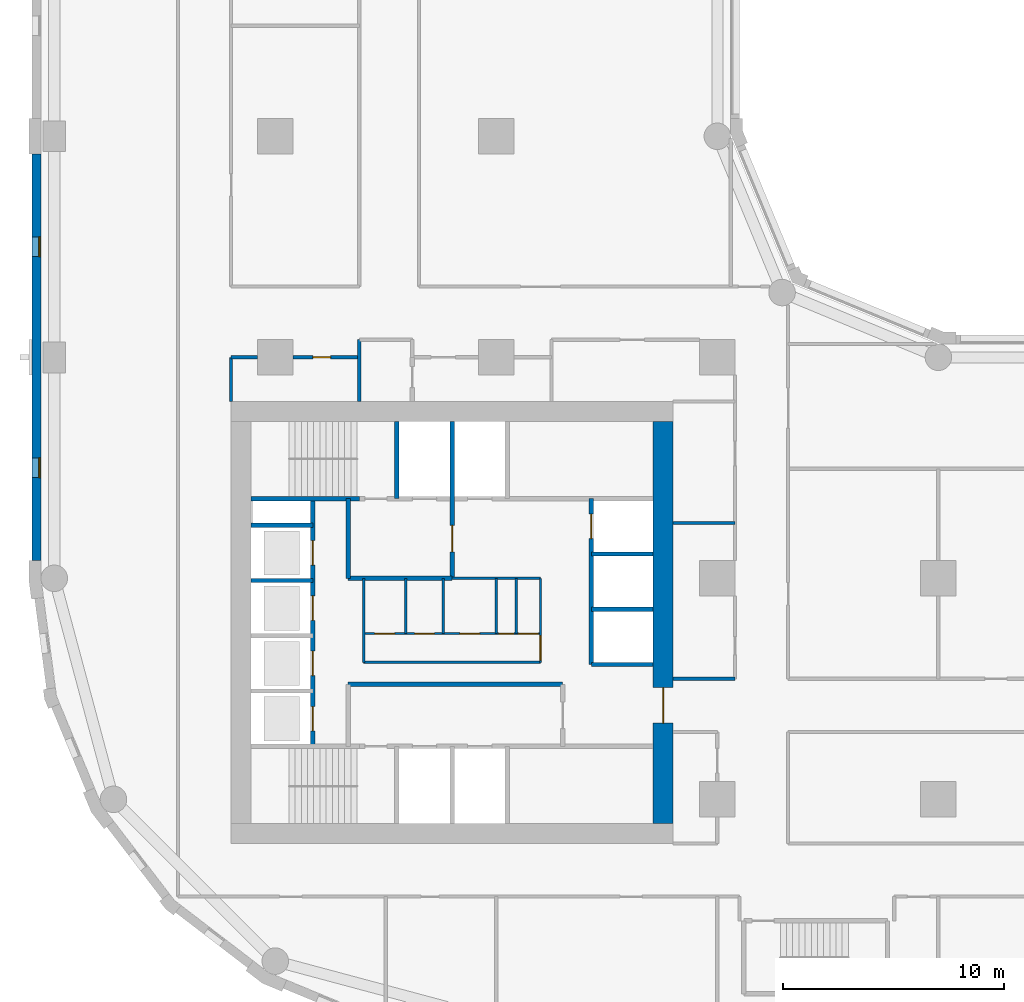
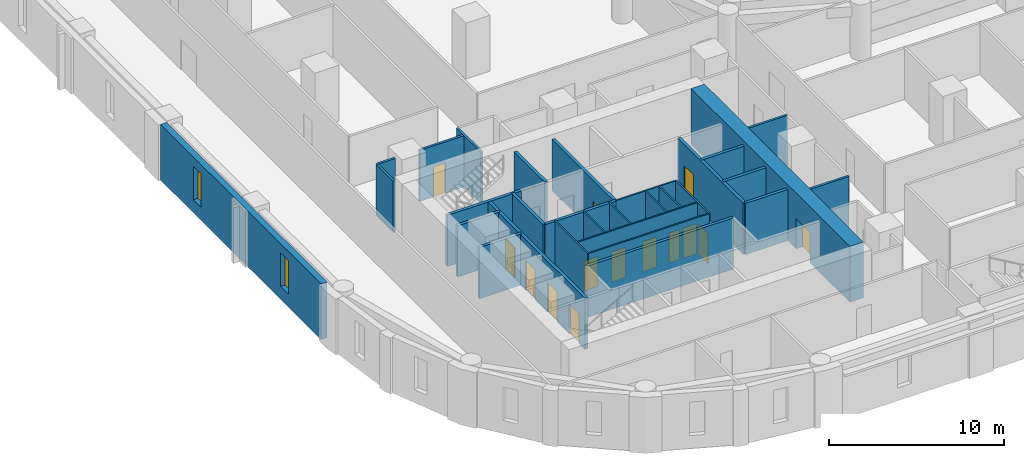
# One storey, part 3 of 11: 30 walls, 14 doors, 2 windows, 16 openings.
"""IFC4 building model written with IfcOpenShell, lengths in metres."""

from ifc_helpers import new_model, si_unit, direction, frame, frame_2d, origin, place, context, subcontext, project, spatial, rectangle, extrude, material, layer, layer_set, type_object, element, fill, save


model = new_model("IFC4")

# Units and contexts
model_context = context("Model", 3, precision=1e-05, world=origin(), true_north=direction((0.0, 1.0)))
body_context = subcontext(model_context, "Body", "Model", "MODEL_VIEW")
ifc_project = project(units=[si_unit("LENGTHUNIT", "METRE"), si_unit("AREAUNIT", "SQUARE_METRE"), si_unit("VOLUMEUNIT", "CUBIC_METRE"), si_unit("PLANEANGLEUNIT", "RADIAN"), si_unit("MASSUNIT", "GRAM", prefix="KILO")], contexts=[model_context])

# Site, building, storey
site_placement = place(None, origin())
site = spatial("IfcSite", under=ifc_project, at=site_placement, CompositionType="ELEMENT")
building_placement = place(site_placement, origin())
building = spatial("IfcBuilding", under=site, at=building_placement, Name="Qaws Garden Tower", CompositionType="ELEMENT")
storey_placement = place(building_placement, frame((0.0, 0.0, 82.199951171875)))
storey = spatial("IfcBuildingStorey", under=building, at=storey_placement, Name="L20", CompositionType="ELEMENT", Elevation=82.199951171875)

# Wall, openings, windows
ifc_material_1 = material(Name="Buff clay facing brick masonry", Category="masonry")
ifc_layer_1 = layer(ifc_material_1, 0.39990234375)
ifc_layer_set_1 = layer_set([ifc_layer_1], Name="Buff clay facing brick masonry")
wall_type_1 = type_object("IfcWallType", Name="Buff brick infill wall 400", PredefinedType="SOLIDWALL", material=ifc_layer_set_1)
wall_1_placement = place(storey_placement, frame((-0.800048828125, 39.199951171875, 0.0), z_axis=(0.0, 0.0, 1.0), x_axis=(0.0, -1.0, 0.0)))
wall_1 = element("IfcWall", 1, at=wall_1_placement, inside=storey, type_object=wall_type_1, Name="E-L20-infill-25", PredefinedType="SOLIDWALL", context=body_context, shape_type="SweptSolid", body=[
    extrude(rectangle(XDim=18.39990234375, YDim=0.39990234375, at=frame_2d((9.199951171875, 0.0))), origin(), (0.0, 0.0, 1.0), 3.900146484375),
])
opening_1_placement = place(wall_1_placement, frame((3.75, 0.0, 0.89990234375)))
opening_1 = element("IfcOpeningElement", 2, at=opening_1_placement, cuts=wall_1, Name="Opening W09", PredefinedType="OPENING", context=body_context, shape_type="SweptSolid", body=[
    extrude(rectangle(XDim=0.89990234375, YDim=2.35009765625, at=frame_2d((0.449951171875, 1.175048828125))), frame((0.0, 0.2099609375, 0.0), z_axis=(0.0, -1.0, 0.0), x_axis=(1.0, 0.0, 0.0)), (0.0, 0.0, 1.0), 0.419921875),
])
opening_2_placement = place(wall_1_placement, frame((13.75, 0.0, 0.89990234375)))
opening_2 = element("IfcOpeningElement", 3, at=opening_2_placement, cuts=wall_1, Name="Opening W09", PredefinedType="OPENING", context=body_context, shape_type="SweptSolid", body=[
    extrude(rectangle(XDim=0.89990234375, YDim=2.35009765625, at=frame_2d((0.449951171875, 1.175048828125))), frame((0.0, 0.2099609375, 0.0), z_axis=(0.0, -1.0, 0.0), x_axis=(1.0, 0.0, 0.0)), (0.0, 0.0, 1.0), 0.419921875),
])
ifc_material_2 = material(Name="Aluminium framed window, clear glazing", Category="aluminium")
window_type = type_object("IfcWindowType", Name="Slit window 900 x 2350", PartitioningType="SINGLE_PANEL", PredefinedType="WINDOW", material=ifc_material_2)
window_1_placement = place(opening_1_placement, origin())
window_1 = element("IfcWindow", 4, at=window_1_placement, inside=storey, type_object=window_type, Name="E-L20-window-25-0", OverallHeight=2.35009765625, OverallWidth=0.89990234375, PartitioningType="SINGLE_PANEL", PredefinedType="WINDOW", context=body_context, shape_type="SweptSolid", body=[
    extrude(rectangle(XDim=0.89990234375, YDim=2.35009765625, at=frame_2d((0.449951171875, 1.175048828125))), frame((0.0, 0.159912109375, 0.0), z_axis=(0.0, -1.0, 0.0), x_axis=(1.0, 0.0, 0.0)), (0.0, 0.0, 1.0), 0.06005859375),
])
fill(opening_1, window_1)
window_2_placement = place(opening_2_placement, origin())
window_2 = element("IfcWindow", 5, at=window_2_placement, inside=storey, type_object=window_type, Name="E-L20-window-26-0", OverallHeight=2.35009765625, OverallWidth=0.89990234375, PartitioningType="SINGLE_PANEL", PredefinedType="WINDOW", context=body_context, shape_type="SweptSolid", body=[
    extrude(rectangle(XDim=0.89990234375, YDim=2.35009765625, at=frame_2d((0.449951171875, 1.175048828125))), frame((0.0, 0.159912109375, 0.0), z_axis=(0.0, -1.0, 0.0), x_axis=(1.0, 0.0, 0.0)), (0.0, 0.0, 1.0), 0.06005859375),
])
fill(opening_2, window_2)

# Wall
ifc_material_3 = material(Name="Plasterboard")
ifc_layer_2 = layer(ifc_material_3, 0.10009765625)
ifc_layer_set_2 = layer_set([ifc_layer_2], Name="Plasterboard")
wall_type_2 = type_object("IfcWallType", Name="Core partition 100", PredefinedType="PARTITIONING", material=ifc_layer_set_2)
wall_2_placement = place(storey_placement, frame((14.0, 16.199951171875, 0.0), z_axis=(0.0, 0.0, 1.0), x_axis=(1.0, 0.0, 0.0)))
element("IfcWall", 6, at=wall_2_placement, inside=storey, type_object=wall_type_2, Name="Core partition", PredefinedType="PARTITIONING", context=body_context, shape_type="SweptSolid", body=[
    extrude(rectangle(XDim=8.0, YDim=0.10009765625, at=frame_2d((4.0, 0.0))), origin(), (0.0, 0.0, 1.0), 3.580078125),
])

# Wall, openings, doors
wall_3_placement = place(storey_placement, frame((14.0, 17.5, 0.0), z_axis=(0.0, 0.0, 1.0), x_axis=(1.0, 0.0, 0.0)))
wall_3 = element("IfcWall", 7, at=wall_3_placement, inside=storey, type_object=wall_type_2, Name="Core partition", PredefinedType="PARTITIONING", context=body_context, shape_type="SweptSolid", body=[
    extrude(rectangle(XDim=8.0, YDim=0.10009765625, at=frame_2d((4.0, 0.0))), origin(), (0.0, 0.0, 1.0), 3.580078125),
])
opening_3_placement = place(wall_3_placement, frame((0.5, 0.0, 0.0)))
opening_3 = element("IfcOpeningElement", 8, at=opening_3_placement, cuts=wall_3, Name="Opening WD18", PredefinedType="OPENING", context=body_context, shape_type="SweptSolid", body=[
    extrude(rectangle(XDim=0.89990234375, YDim=2.10009765625, at=frame_2d((0.449951171875, 1.050048828125))), frame((0.0, 0.06005859375, 0.0), z_axis=(0.0, -1.0, 0.0), x_axis=(1.0, 0.0, 0.0)), (0.0, 0.0, 1.0), 0.1201171875),
])
opening_4_placement = place(wall_3_placement, frame((2.300048828125, 0.0, 0.0)))
opening_4 = element("IfcOpeningElement", 9, at=opening_4_placement, cuts=wall_3, Name="Opening WD19", PredefinedType="OPENING", context=body_context, shape_type="SweptSolid", body=[
    extrude(rectangle(XDim=0.89990234375, YDim=2.10009765625, at=frame_2d((0.449951171875, 1.050048828125))), frame((0.0, 0.06005859375, 0.0), z_axis=(0.0, -1.0, 0.0), x_axis=(1.0, 0.0, 0.0)), (0.0, 0.0, 1.0), 0.1201171875),
])
opening_5_placement = place(wall_3_placement, frame((4.35009765625, 0.0, 0.0)))
opening_5 = element("IfcOpeningElement", 10, at=opening_5_placement, cuts=wall_3, Name="Opening WD20", PredefinedType="OPENING", context=body_context, shape_type="SweptSolid", body=[
    extrude(rectangle(XDim=0.89990234375, YDim=2.10009765625, at=frame_2d((0.449951171875, 1.050048828125))), frame((0.0, 0.06005859375, 0.0), z_axis=(0.0, -1.0, 0.0), x_axis=(1.0, 0.0, 0.0)), (0.0, 0.0, 1.0), 0.1201171875),
])
opening_6_placement = place(wall_3_placement, frame((6.10009765625, 0.0, 0.0)))
opening_6 = element("IfcOpeningElement", 11, at=opening_6_placement, cuts=wall_3, Name="Opening XD21", PredefinedType="OPENING", context=body_context, shape_type="SweptSolid", body=[
    extrude(rectangle(XDim=0.699951171875, YDim=2.10009765625, at=frame_2d((0.35009765625, 1.050048828125))), frame((0.0, 0.06005859375, 0.0), z_axis=(0.0, -1.0, 0.0), x_axis=(1.0, 0.0, 0.0)), (0.0, 0.0, 1.0), 0.1201171875),
])
opening_7_placement = place(wall_3_placement, frame((7.0, 0.0, 0.0)))
opening_7 = element("IfcOpeningElement", 12, at=opening_7_placement, cuts=wall_3, Name="Opening WD22", PredefinedType="OPENING", context=body_context, shape_type="SweptSolid", body=[
    extrude(rectangle(XDim=0.89990234375, YDim=2.10009765625, at=frame_2d((0.449951171875, 1.050048828125))), frame((0.0, 0.06005859375, 0.0), z_axis=(0.0, -1.0, 0.0), x_axis=(1.0, 0.0, 0.0)), (0.0, 0.0, 1.0), 0.1201171875),
])
ifc_material_4 = material(Name="Timber", Category="wood")
door_type_1 = type_object("IfcDoorType", Name="Store door 700x2100", OperationType="SINGLE_SWING_LEFT", PredefinedType="DOOR", material=ifc_material_4)
door_1_placement = place(opening_6_placement, origin())
door_1 = element("IfcDoor", 13, at=door_1_placement, inside=storey, type_object=door_type_1, Name="Cleaner's store door", OperationType="SINGLE_SWING_RIGHT", OverallHeight=2.10009765625, OverallWidth=0.699951171875, PredefinedType="DOOR", context=body_context, shape_type="SweptSolid", body=[
    extrude(rectangle(XDim=0.699951171875, YDim=2.10009765625, at=frame_2d((0.35009765625, 1.050048828125))), frame((0.0, 0.02490234375, 0.0), z_axis=(0.0, -1.0, 0.0), x_axis=(1.0, 0.0, 0.0)), (0.0, 0.0, 1.0), 0.050048828125),
])
fill(opening_6, door_1)
ifc_material_5 = material(Name="Timber", Category="wood")
door_type_2 = type_object("IfcDoorType", Name="WC door 900x2100", OperationType="SINGLE_SWING_LEFT", PredefinedType="DOOR", material=ifc_material_5)
door_2_placement = place(opening_3_placement, origin())
door_2 = element("IfcDoor", 14, at=door_2_placement, inside=storey, type_object=door_type_2, Name="Men's WC door", OperationType="SINGLE_SWING_RIGHT", OverallHeight=2.10009765625, OverallWidth=0.89990234375, PredefinedType="DOOR", context=body_context, shape_type="SweptSolid", body=[
    extrude(rectangle(XDim=0.89990234375, YDim=2.10009765625, at=frame_2d((0.449951171875, 1.050048828125))), frame((0.0, 0.02490234375, 0.0), z_axis=(0.0, -1.0, 0.0), x_axis=(1.0, 0.0, 0.0)), (0.0, 0.0, 1.0), 0.050048828125),
])
fill(opening_3, door_2)
door_3_placement = place(opening_4_placement, origin())
door_3 = element("IfcDoor", 15, at=door_3_placement, inside=storey, type_object=door_type_2, Name="Accessible WC door", OperationType="SINGLE_SWING_RIGHT", OverallHeight=2.10009765625, OverallWidth=0.89990234375, PredefinedType="DOOR", context=body_context, shape_type="SweptSolid", body=[
    extrude(rectangle(XDim=0.89990234375, YDim=2.10009765625, at=frame_2d((0.449951171875, 1.050048828125))), frame((0.0, 0.02490234375, 0.0), z_axis=(0.0, -1.0, 0.0), x_axis=(1.0, 0.0, 0.0)), (0.0, 0.0, 1.0), 0.050048828125),
])
fill(opening_4, door_3)
door_4_placement = place(opening_5_placement, origin())
door_4 = element("IfcDoor", 16, at=door_4_placement, inside=storey, type_object=door_type_2, Name="Women's WC door", OperationType="SINGLE_SWING_RIGHT", OverallHeight=2.10009765625, OverallWidth=0.89990234375, PredefinedType="DOOR", context=body_context, shape_type="SweptSolid", body=[
    extrude(rectangle(XDim=0.89990234375, YDim=2.10009765625, at=frame_2d((0.449951171875, 1.050048828125))), frame((0.0, 0.02490234375, 0.0), z_axis=(0.0, -1.0, 0.0), x_axis=(1.0, 0.0, 0.0)), (0.0, 0.0, 1.0), 0.050048828125),
])
fill(opening_5, door_4)
door_5_placement = place(opening_7_placement, origin())
door_5 = element("IfcDoor", 17, at=door_5_placement, inside=storey, type_object=door_type_2, Name="Linen store door", OperationType="SINGLE_SWING_RIGHT", OverallHeight=2.10009765625, OverallWidth=0.89990234375, PredefinedType="DOOR", context=body_context, shape_type="SweptSolid", body=[
    extrude(rectangle(XDim=0.89990234375, YDim=2.10009765625, at=frame_2d((0.449951171875, 1.050048828125))), frame((0.0, 0.02490234375, 0.0), z_axis=(0.0, -1.0, 0.0), x_axis=(1.0, 0.0, 0.0)), (0.0, 0.0, 1.0), 0.050048828125),
])
fill(opening_7, door_5)

# Walls
wall_4_placement = place(storey_placement, frame((18.0, 20.0, 0.0), z_axis=(0.0, 0.0, 1.0), x_axis=(1.0, 0.0, 0.0)))
element("IfcWall", 18, at=wall_4_placement, inside=storey, type_object=wall_type_2, Name="Core partition", PredefinedType="PARTITIONING", context=body_context, shape_type="SweptSolid", body=[
    extrude(rectangle(XDim=4.0, YDim=0.10009765625, at=frame_2d((2.0, 0.0))), origin(), (0.0, 0.0, 1.0), 3.580078125),
])
wall_5_placement = place(storey_placement, frame((14.0, 16.199951171875, 0.0), z_axis=(0.0, 0.0, 1.0), x_axis=(0.0, 1.0, 0.0)))
element("IfcWall", 19, at=wall_5_placement, inside=storey, type_object=wall_type_2, Name="Core partition", PredefinedType="PARTITIONING", context=body_context, shape_type="SweptSolid", body=[
    extrude(rectangle(XDim=3.800048828125, YDim=0.10009765625, at=frame_2d((1.89990234375, 0.0))), origin(), (0.0, 0.0, 1.0), 3.580078125),
])
for number, where, z_axis, x_axis, name in (
    (20, (15.89990234375, 17.5, 0.0), (0.0, 0.0, 1.0), (0.0, 1.0, 0.0), "Core partition"),
    (21, (17.60009765625, 17.5, 0.0), (0.0, 0.0, 1.0), (0.0, 1.0, 0.0), "Core partition"),
    (22, (20.0, 17.5, 0.0), (0.0, 0.0, 1.0), (0.0, 1.0, 0.0), "Core partition"),
    (23, (20.89990234375, 17.5, 0.0), (0.0, 0.0, 1.0), (0.0, 1.0, 0.0), "Core partition"),
):
    element("IfcWall", number, at=place(storey_placement, frame(where, z_axis=z_axis, x_axis=x_axis)), inside=storey, type_object=wall_type_2, Name=name, PredefinedType="PARTITIONING", context=body_context, shape_type="SweptSolid", body=[
        extrude(rectangle(XDim=2.5, YDim=0.10009765625, at=frame_2d((1.25, 0.0))), origin(), (0.0, 0.0, 1.0), 3.580078125),
    ])

# Wall, opening, door
wall_6_placement = place(storey_placement, frame((22.0, 16.199951171875, 0.0), z_axis=(0.0, 0.0, 1.0), x_axis=(0.0, 1.0, 0.0)))
wall_6 = element("IfcWall", 24, at=wall_6_placement, inside=storey, type_object=wall_type_2, Name="Core partition", PredefinedType="PARTITIONING", context=body_context, shape_type="SweptSolid", body=[
    extrude(rectangle(XDim=3.800048828125, YDim=0.10009765625, at=frame_2d((1.89990234375, 0.0))), origin(), (0.0, 0.0, 1.0), 3.580078125),
])
opening_8_placement = place(wall_6_placement, frame((0.10009765625, 0.0, 0.0)))
opening_8 = element("IfcOpeningElement", 25, at=opening_8_placement, cuts=wall_6, Name="Opening WL17", PredefinedType="OPENING", context=body_context, shape_type="SweptSolid", body=[
    extrude(rectangle(XDim=1.10009765625, YDim=2.10009765625, at=frame_2d((0.550048828125, 1.050048828125))), frame((0.0, 0.06005859375, 0.0), z_axis=(0.0, -1.0, 0.0), x_axis=(1.0, 0.0, 0.0)), (0.0, 0.0, 1.0), 0.1201171875),
])
ifc_material_6 = material(Name="Timber", Category="wood")
door_type_3 = type_object("IfcDoorType", Name="WC lobby door 1100x2100", OperationType="SINGLE_SWING_LEFT", PredefinedType="DOOR", material=ifc_material_6)
door_6_placement = place(opening_8_placement, origin())
door_6 = element("IfcDoor", 26, at=door_6_placement, inside=storey, type_object=door_type_3, Name="WC lobby door", OperationType="SINGLE_SWING_RIGHT", OverallHeight=2.10009765625, OverallWidth=1.10009765625, PredefinedType="DOOR", context=body_context, shape_type="SweptSolid", body=[
    extrude(rectangle(XDim=1.10009765625, YDim=2.10009765625, at=frame_2d((0.550048828125, 1.050048828125))), frame((0.0, 0.02490234375, 0.0), z_axis=(0.0, -1.0, 0.0), x_axis=(1.0, 0.0, 0.0)), (0.0, 0.0, 1.0), 0.050048828125),
])
fill(opening_8, door_6)

# Walls
ifc_material_7 = material(Name="Concrete C80", Category="concrete")
ifc_layer_3 = layer(ifc_material_7, 0.199951171875)
ifc_layer_set_3 = layer_set([ifc_layer_3], Name="Concrete C80")
wall_type_3 = type_object("IfcWallType", Name="Core shaft wall 200 C80", PredefinedType="SHEAR", material=ifc_layer_set_3)
wall_7_placement = place(storey_placement, frame((13.300048828125, 15.199951171875, 0.0), z_axis=(0.0, 0.0, 1.0), x_axis=(1.0, 0.0, 0.0)))
element("IfcWall", 27, at=wall_7_placement, inside=storey, type_object=wall_type_3, Name="Shaft wall", PredefinedType="SHEAR", context=body_context, shape_type="SweptSolid", body=[
    extrude(rectangle(XDim=9.699951171875, YDim=0.199951171875, at=frame_2d((4.85009765625, 0.0))), origin(), (0.0, 0.0, 1.0), 3.580078125),
])
for number, where, z_axis, x_axis, name in (
    (28, (24.300048828125, 16.10009765625, 0.0), (0.0, 0.0, 1.0), (1.0, 0.0, 0.0), "Shaft wall"),
    (29, (24.300048828125, 18.60009765625, 0.0), (0.0, 0.0, 1.0), (1.0, 0.0, 0.0), "Shaft wall"),
    (30, (8.89990234375, 19.89990234375, 0.0), (0.0, 0.0, 1.0), (1.0, 0.0, 0.0), "Shaft wall"),
):
    element("IfcWall", number, at=place(storey_placement, frame(where, z_axis=z_axis, x_axis=x_axis)), inside=storey, type_object=wall_type_3, Name=name, PredefinedType="SHEAR", context=body_context, shape_type="SweptSolid", body=[
        extrude(rectangle(XDim=2.800048828125, YDim=0.199951171875, at=frame_2d((1.39990234375, 0.0))), origin(), (0.0, 0.0, 1.0), 3.580078125),
    ])
wall_8_placement = place(storey_placement, frame((13.300048828125, 20.0, 0.0), z_axis=(0.0, 0.0, 1.0), x_axis=(1.0, 0.0, 0.0)))
element("IfcWall", 31, at=wall_8_placement, inside=storey, type_object=wall_type_3, Name="Shaft wall", PredefinedType="SHEAR", context=body_context, shape_type="SweptSolid", body=[
    extrude(rectangle(XDim=4.699951171875, YDim=0.199951171875, at=frame_2d((2.35009765625, 0.0))), origin(), (0.0, 0.0, 1.0), 3.580078125),
])
for number, where, z_axis, x_axis, name in (
    (32, (24.300048828125, 21.10009765625, 0.0), (0.0, 0.0, 1.0), (1.0, 0.0, 0.0), "Shaft wall"),
    (33, (8.89990234375, 22.39990234375, 0.0), (0.0, 0.0, 1.0), (1.0, 0.0, 0.0), "Shaft wall"),
):
    element("IfcWall", number, at=place(storey_placement, frame(where, z_axis=z_axis, x_axis=x_axis)), inside=storey, type_object=wall_type_3, Name=name, PredefinedType="SHEAR", context=body_context, shape_type="SweptSolid", body=[
        extrude(rectangle(XDim=2.800048828125, YDim=0.199951171875, at=frame_2d((1.39990234375, 0.0))), origin(), (0.0, 0.0, 1.0), 3.580078125),
    ])
wall_9_placement = place(storey_placement, frame((8.89990234375, 23.60009765625, 0.0), z_axis=(0.0, 0.0, 1.0), x_axis=(1.0, 0.0, 0.0)))
element("IfcWall", 34, at=wall_9_placement, inside=storey, type_object=wall_type_3, Name="Shaft wall", PredefinedType="SHEAR", context=body_context, shape_type="SweptSolid", body=[
    extrude(rectangle(XDim=4.900146484375, YDim=0.199951171875, at=frame_2d((2.4501953125, 0.0))), origin(), (0.0, 0.0, 1.0), 3.580078125),
])

# Wall, openings, doors
wall_10_placement = place(storey_placement, frame((11.699951171875, 12.39990234375, 0.0), z_axis=(0.0, 0.0, 1.0), x_axis=(0.0, 1.0, 0.0)))
wall_10 = element("IfcWall", 35, at=wall_10_placement, inside=storey, type_object=wall_type_3, Name="Shaft wall", PredefinedType="SHEAR", context=body_context, shape_type="SweptSolid", body=[
    extrude(rectangle(XDim=11.2001953125, YDim=0.199951171875, at=frame_2d((5.60009765625, 0.0))), origin(), (0.0, 0.0, 1.0), 3.580078125),
])
opening_9_placement = place(wall_10_placement, frame((0.699951171875, 0.0, 0.0)))
opening_9 = element("IfcOpeningElement", 36, at=opening_9_placement, cuts=wall_10, Name="Opening LD01", PredefinedType="OPENING", context=body_context, shape_type="SweptSolid", body=[
    extrude(rectangle(XDim=1.10009765625, YDim=2.10009765625, at=frame_2d((0.550048828125, 1.050048828125))), frame((0.0, 0.10986328125, 0.0), z_axis=(0.0, -1.0, 0.0), x_axis=(1.0, 0.0, 0.0)), (0.0, 0.0, 1.0), 0.219970703125),
])
opening_10_placement = place(wall_10_placement, frame((3.199951171875, 0.0, 0.0)))
opening_10 = element("IfcOpeningElement", 37, at=opening_10_placement, cuts=wall_10, Name="Opening LD02", PredefinedType="OPENING", context=body_context, shape_type="SweptSolid", body=[
    extrude(rectangle(XDim=1.10009765625, YDim=2.10009765625, at=frame_2d((0.550048828125, 1.050048828125))), frame((0.0, 0.10986328125, 0.0), z_axis=(0.0, -1.0, 0.0), x_axis=(1.0, 0.0, 0.0)), (0.0, 0.0, 1.0), 0.219970703125),
])
opening_11_placement = place(wall_10_placement, frame((5.699951171875, 0.0, 0.0)))
opening_11 = element("IfcOpeningElement", 38, at=opening_11_placement, cuts=wall_10, Name="Opening LD03", PredefinedType="OPENING", context=body_context, shape_type="SweptSolid", body=[
    extrude(rectangle(XDim=1.10009765625, YDim=2.10009765625, at=frame_2d((0.550048828125, 1.050048828125))), frame((0.0, 0.10986328125, 0.0), z_axis=(0.0, -1.0, 0.0), x_axis=(1.0, 0.0, 0.0)), (0.0, 0.0, 1.0), 0.219970703125),
])
opening_12_placement = place(wall_10_placement, frame((8.199951171875, 0.0, 0.0)))
opening_12 = element("IfcOpeningElement", 39, at=opening_12_placement, cuts=wall_10, Name="Opening LD04", PredefinedType="OPENING", context=body_context, shape_type="SweptSolid", body=[
    extrude(rectangle(XDim=1.10009765625, YDim=2.10009765625, at=frame_2d((0.550048828125, 1.050048828125))), frame((0.0, 0.10986328125, 0.0), z_axis=(0.0, -1.0, 0.0), x_axis=(1.0, 0.0, 0.0)), (0.0, 0.0, 1.0), 0.219970703125),
])
ifc_material_8 = material(Name="Steel S235", Category="steel")
door_type_4 = type_object("IfcDoorType", Name="Landing door 1100x2100", OperationType="DOUBLE_DOOR_SLIDING", PredefinedType="DOOR", material=ifc_material_8)
door_7_placement = place(opening_9_placement, origin())
door_7 = element("IfcDoor", 40, at=door_7_placement, inside=storey, type_object=door_type_4, Name="Lift W1 landing door", OperationType="DOUBLE_DOOR_SLIDING", OverallHeight=2.10009765625, OverallWidth=1.10009765625, PredefinedType="DOOR", context=body_context, shape_type="SweptSolid", body=[
    extrude(rectangle(XDim=1.10009765625, YDim=2.10009765625, at=frame_2d((0.550048828125, 1.050048828125))), frame((0.0, 0.02490234375, 0.0), z_axis=(0.0, -1.0, 0.0), x_axis=(1.0, 0.0, 0.0)), (0.0, 0.0, 1.0), 0.050048828125),
])
fill(opening_9, door_7)
door_8_placement = place(opening_10_placement, origin())
door_8 = element("IfcDoor", 41, at=door_8_placement, inside=storey, type_object=door_type_4, Name="Lift W2 landing door", OperationType="DOUBLE_DOOR_SLIDING", OverallHeight=2.10009765625, OverallWidth=1.10009765625, PredefinedType="DOOR", context=body_context, shape_type="SweptSolid", body=[
    extrude(rectangle(XDim=1.10009765625, YDim=2.10009765625, at=frame_2d((0.550048828125, 1.050048828125))), frame((0.0, 0.02490234375, 0.0), z_axis=(0.0, -1.0, 0.0), x_axis=(1.0, 0.0, 0.0)), (0.0, 0.0, 1.0), 0.050048828125),
])
fill(opening_10, door_8)
door_9_placement = place(opening_11_placement, origin())
door_9 = element("IfcDoor", 42, at=door_9_placement, inside=storey, type_object=door_type_4, Name="Lift W3 landing door", OperationType="DOUBLE_DOOR_SLIDING", OverallHeight=2.10009765625, OverallWidth=1.10009765625, PredefinedType="DOOR", context=body_context, shape_type="SweptSolid", body=[
    extrude(rectangle(XDim=1.10009765625, YDim=2.10009765625, at=frame_2d((0.550048828125, 1.050048828125))), frame((0.0, 0.02490234375, 0.0), z_axis=(0.0, -1.0, 0.0), x_axis=(1.0, 0.0, 0.0)), (0.0, 0.0, 1.0), 0.050048828125),
])
fill(opening_11, door_9)
door_10_placement = place(opening_12_placement, origin())
door_10 = element("IfcDoor", 43, at=door_10_placement, inside=storey, type_object=door_type_4, Name="Lift W4 landing door", OperationType="DOUBLE_DOOR_SLIDING", OverallHeight=2.10009765625, OverallWidth=1.10009765625, PredefinedType="DOOR", context=body_context, shape_type="SweptSolid", body=[
    extrude(rectangle(XDim=1.10009765625, YDim=2.10009765625, at=frame_2d((0.550048828125, 1.050048828125))), frame((0.0, 0.02490234375, 0.0), z_axis=(0.0, -1.0, 0.0), x_axis=(1.0, 0.0, 0.0)), (0.0, 0.0, 1.0), 0.050048828125),
])
fill(opening_12, door_10)

# Walls
wall_11_placement = place(storey_placement, frame((13.300048828125, 20.0, 0.0), z_axis=(0.0, 0.0, 1.0), x_axis=(0.0, 1.0, 0.0)))
element("IfcWall", 44, at=wall_11_placement, inside=storey, type_object=wall_type_3, Name="Shaft wall", PredefinedType="SHEAR", context=body_context, shape_type="SweptSolid", body=[
    extrude(rectangle(XDim=3.60009765625, YDim=0.199951171875, at=frame_2d((1.800048828125, 0.0))), origin(), (0.0, 0.0, 1.0), 3.580078125),
])
wall_12_placement = place(storey_placement, frame((15.5, 23.60009765625, 0.0), z_axis=(0.0, 0.0, 1.0), x_axis=(0.0, 1.0, 0.0)))
element("IfcWall", 45, at=wall_12_placement, inside=storey, type_object=wall_type_3, Name="Shaft wall", PredefinedType="SHEAR", context=body_context, shape_type="SweptSolid", body=[
    extrude(rectangle(XDim=3.5, YDim=0.199951171875, at=frame_2d((1.75, 0.0))), origin(), (0.0, 0.0, 1.0), 3.580078125),
])

# Wall, opening, door
wall_13_placement = place(storey_placement, frame((18.0, 20.0, 0.0), z_axis=(0.0, 0.0, 1.0), x_axis=(0.0, 1.0, 0.0)))
wall_13 = element("IfcWall", 46, at=wall_13_placement, inside=storey, type_object=wall_type_3, Name="Shaft wall", PredefinedType="SHEAR", context=body_context, shape_type="SweptSolid", body=[
    extrude(rectangle(XDim=7.10009765625, YDim=0.199951171875, at=frame_2d((3.550048828125, 0.0))), origin(), (0.0, 0.0, 1.0), 3.580078125),
])
opening_13_placement = place(wall_13_placement, frame((1.199951171875, 0.0, 0.0)))
opening_13 = element("IfcOpeningElement", 47, at=opening_13_placement, cuts=wall_13, Name="Opening FD16", PredefinedType="OPENING", context=body_context, shape_type="SweptSolid", body=[
    extrude(rectangle(XDim=1.199951171875, YDim=2.10009765625, at=frame_2d((0.60009765625, 1.050048828125))), frame((0.0, 0.10986328125, 0.0), z_axis=(0.0, -1.0, 0.0), x_axis=(1.0, 0.0, 0.0)), (0.0, 0.0, 1.0), 0.219970703125),
])
ifc_material_9 = material(Name="Steel S235", Category="steel")
door_type_5 = type_object("IfcDoorType", Name="Lobby door 1200x2100", OperationType="DOUBLE_DOOR_SINGLE_SWING", PredefinedType="DOOR", material=ifc_material_9)
door_11_placement = place(opening_13_placement, origin())
door_11 = element("IfcDoor", 48, at=door_11_placement, inside=storey, type_object=door_type_5, Name="Fire-fighting lobby door", OperationType="DOUBLE_DOOR_SINGLE_SWING", OverallHeight=2.10009765625, OverallWidth=1.199951171875, PredefinedType="DOOR", context=body_context, shape_type="SweptSolid", body=[
    extrude(rectangle(XDim=1.199951171875, YDim=2.10009765625, at=frame_2d((0.60009765625, 1.050048828125))), frame((0.0, 0.02490234375, 0.0), z_axis=(0.0, -1.0, 0.0), x_axis=(1.0, 0.0, 0.0)), (0.0, 0.0, 1.0), 0.050048828125),
])
fill(opening_13, door_11)

wall_14_placement = place(storey_placement, frame((24.300048828125, 16.10009765625, 0.0), z_axis=(0.0, 0.0, 1.0), x_axis=(0.0, 1.0, 0.0)))
wall_14 = element("IfcWall", 49, at=wall_14_placement, inside=storey, type_object=wall_type_3, Name="Shaft wall", PredefinedType="SHEAR", context=body_context, shape_type="SweptSolid", body=[
    extrude(rectangle(XDim=7.5, YDim=0.199951171875, at=frame_2d((3.75, 0.0))), origin(), (0.0, 0.0, 1.0), 3.580078125),
])
opening_14_placement = place(wall_14_placement, frame((5.699951171875, 0.0, 0.0)))
opening_14 = element("IfcOpeningElement", 50, at=opening_14_placement, cuts=wall_14, Name="Opening LD05", PredefinedType="OPENING", context=body_context, shape_type="SweptSolid", body=[
    extrude(rectangle(XDim=1.10009765625, YDim=2.10009765625, at=frame_2d((0.550048828125, 1.050048828125))), frame((0.0, 0.10986328125, 0.0), z_axis=(0.0, -1.0, 0.0), x_axis=(1.0, 0.0, 0.0)), (0.0, 0.0, 1.0), 0.219970703125),
])
door_12_placement = place(opening_14_placement, origin())
door_12 = element("IfcDoor", 51, at=door_12_placement, inside=storey, type_object=door_type_4, Name="Lift E3 landing door", OperationType="DOUBLE_DOOR_SLIDING", OverallHeight=2.10009765625, OverallWidth=1.10009765625, PredefinedType="DOOR", context=body_context, shape_type="SweptSolid", body=[
    extrude(rectangle(XDim=1.10009765625, YDim=2.10009765625, at=frame_2d((0.550048828125, 1.050048828125))), frame((0.0, 0.02490234375, 0.0), z_axis=(0.0, -1.0, 0.0), x_axis=(1.0, 0.0, 0.0)), (0.0, 0.0, 1.0), 0.050048828125),
])
fill(opening_14, door_12)

ifc_material_10 = material(Name="Concrete C80", Category="concrete")
ifc_layer_4 = layer(ifc_material_10, 0.89990234375)
ifc_layer_set_4 = layer_set([ifc_layer_4], Name="Concrete C80")
wall_type_4 = type_object("IfcWallType", Name="Core wall 900 C80", PredefinedType="SHEAR", material=ifc_layer_set_4)
wall_15_placement = place(storey_placement, frame((27.550048828125, 8.89990234375, 0.0), z_axis=(0.0, 0.0, 1.0), x_axis=(0.0, 1.0, 0.0)))
wall_15 = element("IfcWall", 52, at=wall_15_placement, inside=storey, type_object=wall_type_4, Name="Core wall L20 east", PredefinedType="SHEAR", context=body_context, shape_type="SweptSolid", body=[
    extrude(rectangle(XDim=18.2001953125, YDim=0.89990234375, at=frame_2d((9.10009765625, 0.0))), origin(), (0.0, 0.0, 1.0), 3.900146484375),
])
opening_15_placement = place(wall_15_placement, frame((4.550048828125, 0.0, 0.0)))
opening_15 = element("IfcOpeningElement", 53, at=opening_15_placement, cuts=wall_15, Name="Opening ED23", PredefinedType="OPENING", context=body_context, shape_type="SweptSolid", body=[
    extrude(rectangle(XDim=1.60009765625, YDim=2.10009765625, at=frame_2d((0.800048828125, 1.050048828125))), frame((0.0, 0.4599609375, 0.0), z_axis=(0.0, -1.0, 0.0), x_axis=(1.0, 0.0, 0.0)), (0.0, 0.0, 1.0), 0.919921875),
])
ifc_material_11 = material(Name="Steel S235", Category="steel")
door_type_6 = type_object("IfcDoorType", Name="Core entrance door 1600x2100", OperationType="DOUBLE_DOOR_SINGLE_SWING", PredefinedType="DOOR", material=ifc_material_11)
door_13_placement = place(opening_15_placement, origin())
door_13 = element("IfcDoor", 54, at=door_13_placement, inside=storey, type_object=door_type_6, Name="Core entrance door", OperationType="DOUBLE_DOOR_SINGLE_SWING", OverallHeight=2.10009765625, OverallWidth=1.60009765625, PredefinedType="DOOR", context=body_context, shape_type="SweptSolid", body=[
    extrude(rectangle(XDim=1.60009765625, YDim=2.10009765625, at=frame_2d((0.800048828125, 1.050048828125))), frame((0.0, 0.02490234375, 0.0), z_axis=(0.0, -1.0, 0.0), x_axis=(1.0, 0.0, 0.0)), (0.0, 0.0, 1.0), 0.050048828125),
])
fill(opening_15, door_13)

# Walls
ifc_material_12 = material(Name="Gypsum board partition")
ifc_layer_5 = layer(ifc_material_12, 0.14990234375)
ifc_layer_set_5 = layer_set([ifc_layer_5], Name="Gypsum board partition")
wall_type_5 = type_object("IfcWallType", Name="PARTITION 150 EI 60", PredefinedType="PARTITIONING", material=ifc_layer_set_5)
wall_16_placement = place(storey_placement, frame((8.0, 28.0, 0.0), z_axis=(0.0, 0.0, 1.0), x_axis=(0.0, 1.0, 0.0)))
element("IfcWall", 55, at=wall_16_placement, inside=storey, type_object=wall_type_5, Name="O-L20-wall-002", PredefinedType="PARTITIONING", context=body_context, shape_type="SweptSolid", body=[
    extrude(rectangle(XDim=2.0, YDim=0.14990234375, at=frame_2d((1.0, 0.0))), origin(), (0.0, 0.0, 1.0), 3.580078125),
])
for number, where, z_axis, x_axis, name in (
    (56, (13.800048828125, 28.0, 0.0), (0.0, 0.0, 1.0), (0.0, 1.0, 0.0), "O-L20-wall-005"),
    (57, (28.0, 15.449951171875, 0.0), (0.0, 0.0, 1.0), (1.0, 0.0, 0.0), "O-L20-wall-039"),
    (58, (28.0, 22.5, 0.0), (0.0, 0.0, 1.0), (1.0, 0.0, 0.0), "O-L20-wall-041"),
):
    element("IfcWall", number, at=place(storey_placement, frame(where, z_axis=z_axis, x_axis=x_axis)), inside=storey, type_object=wall_type_5, Name=name, PredefinedType="PARTITIONING", context=body_context, shape_type="SweptSolid", body=[
        extrude(rectangle(XDim=2.800048828125, YDim=0.14990234375, at=frame_2d((1.39990234375, 0.0))), origin(), (0.0, 0.0, 1.0), 3.580078125),
    ])
wall_17_placement = place(storey_placement, frame((8.0, 30.0, 0.0), z_axis=(0.0, 0.0, 1.0), x_axis=(1.0, 0.0, 0.0)))
element("IfcWall", 59, at=wall_17_placement, inside=storey, type_object=wall_type_5, Name="O-L20-wall-044", PredefinedType="PARTITIONING", context=body_context, shape_type="SweptSolid", body=[
    extrude(rectangle(XDim=1.199951171875, YDim=0.14990234375, at=frame_2d((0.60009765625, 0.0))), origin(), (0.0, 0.0, 1.0), 3.580078125),
])

# Wall, opening, door
wall_18_placement = place(storey_placement, frame((10.800048828125, 30.0, 0.0), z_axis=(0.0, 0.0, 1.0), x_axis=(1.0, 0.0, 0.0)))
wall_18 = element("IfcWall", 60, at=wall_18_placement, inside=storey, type_object=wall_type_5, Name="O-L20-wall-045", PredefinedType="PARTITIONING", context=body_context, shape_type="SweptSolid", body=[
    extrude(rectangle(XDim=3.0, YDim=0.14990234375, at=frame_2d((1.5, 0.0))), origin(), (0.0, 0.0, 1.0), 3.580078125),
])
opening_16_placement = place(wall_18_placement, frame((0.89990234375, 0.0, 0.0)))
opening_16 = element("IfcOpeningElement", 61, at=opening_16_placement, cuts=wall_18, Name="Opening A709", PredefinedType="OPENING", context=body_context, shape_type="SweptSolid", body=[
    extrude(rectangle(XDim=0.800048828125, YDim=2.10009765625, at=frame_2d((0.39990234375, 1.050048828125))), frame((0.0, 0.0849609375, 0.0), z_axis=(0.0, -1.0, 0.0), x_axis=(1.0, 0.0, 0.0)), (0.0, 0.0, 1.0), 0.169921875),
])
ifc_material_13 = material(Name="Timber door leaf", Category="wood")
door_type_7 = type_object("IfcDoorType", Name="STORE DOOR 800 X 2100", OperationType="SINGLE_SWING_LEFT", PredefinedType="DOOR", material=ifc_material_13)
door_14_placement = place(opening_16_placement, frame((0.800048828125, 0.0, 0.0), z_axis=(0.0, 0.0, 1.0), x_axis=(-1.0, 0.0, 0.0)))
door_14 = element("IfcDoor", 62, at=door_14_placement, inside=storey, type_object=door_type_7, Name="O-L20-door-009", OperationType="SINGLE_SWING_RIGHT", OverallHeight=2.10009765625, OverallWidth=0.800048828125, PredefinedType="DOOR", context=body_context, shape_type="SweptSolid", body=[
    extrude(rectangle(XDim=0.800048828125, YDim=2.10009765625, at=frame_2d((0.39990234375, 1.050048828125))), frame((0.0, 0.02490234375, 0.0), z_axis=(0.0, -1.0, 0.0), x_axis=(1.0, 0.0, 0.0)), (0.0, 0.0, 1.0), 0.050048828125),
])
fill(opening_16, door_14)

save(model, "model.ifc")
